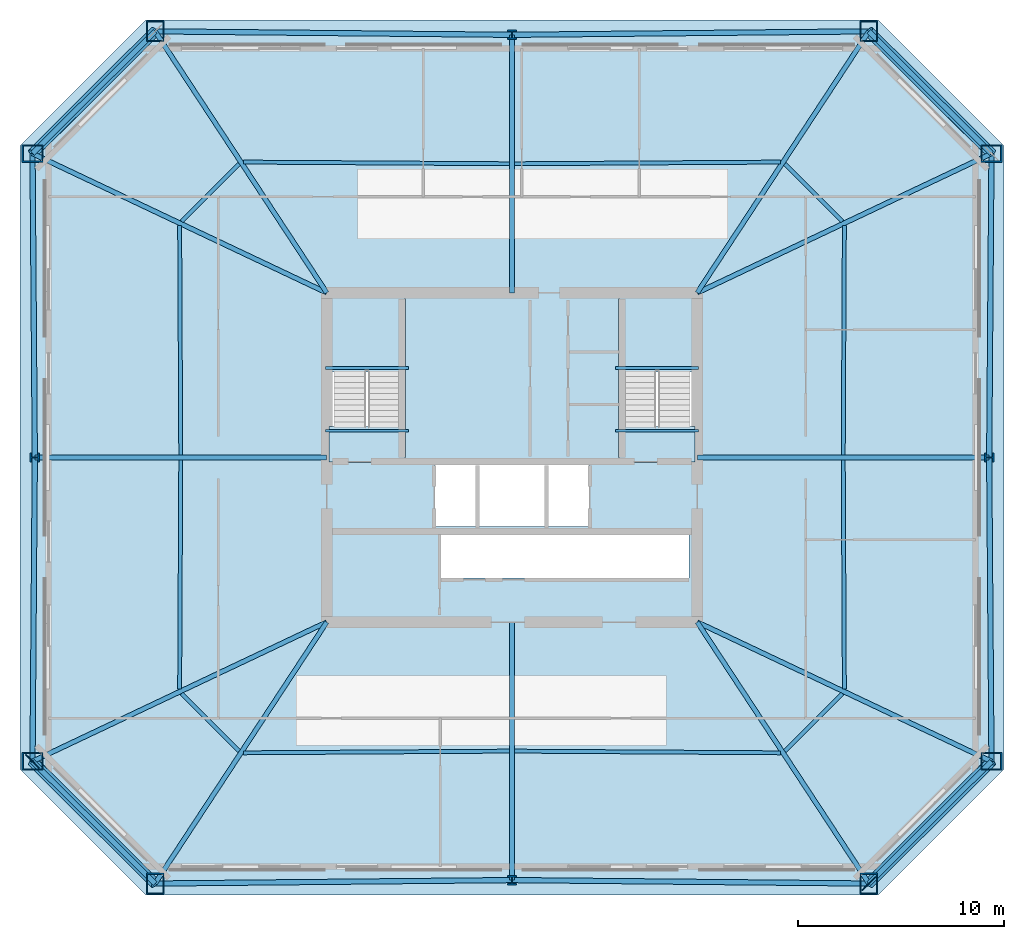
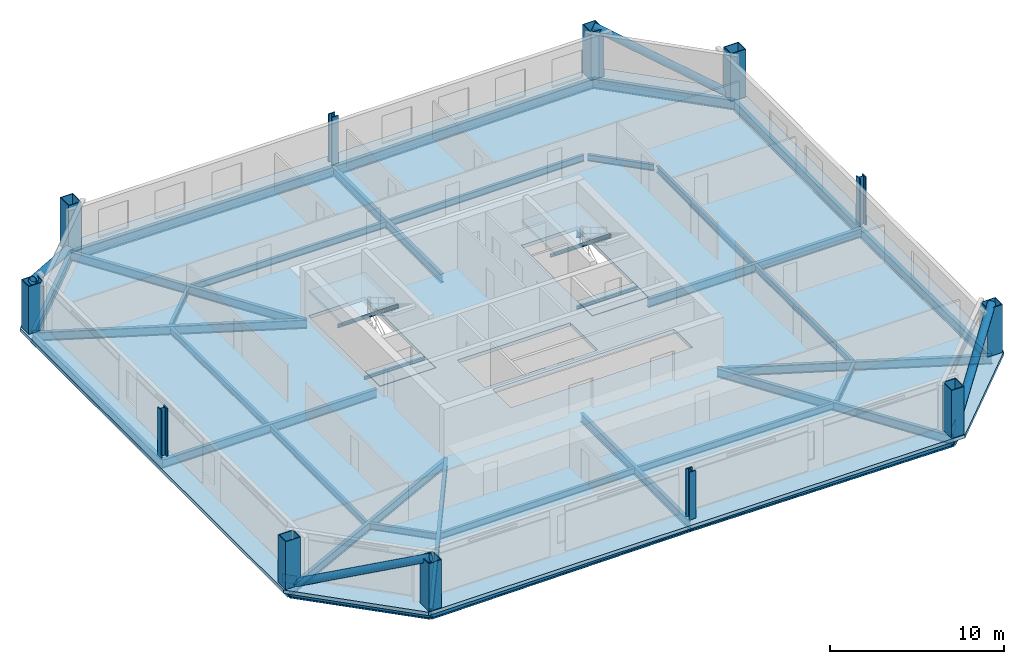
# One storey, part 1 of 6: 40 beams, 12 columns, 5 slabs, 4 members, 2 plates, 2 elements without a shape of their own.
"""IFC4 building model written with IfcOpenShell, lengths in metres."""

from ifc_helpers import new_model, si_unit, direction, frame, origin, origin_2d, place, context, subcontext, project, spatial, polyline, rectangle, hollow_rectangle, hollow_circle, i_section, outline, extrude, material, layer, layer_set, material_profile, profile_set, type_object, element, aggregate, save


model = new_model("IFC4")

# Units and contexts
model_context = context("Model", 3, precision=1e-05, world=origin(), true_north=direction((0.0, 1.0)))
body_context = subcontext(model_context, "Body", "Model", "MODEL_VIEW")
ifc_project = project(units=[si_unit("LENGTHUNIT", "METRE"), si_unit("AREAUNIT", "SQUARE_METRE"), si_unit("VOLUMEUNIT", "CUBIC_METRE"), si_unit("PLANEANGLEUNIT", "RADIAN"), si_unit("MASSUNIT", "GRAM", prefix="KILO")], contexts=[model_context])

# Site, building, storey
site_placement = place(None, origin())
site = spatial("IfcSite", under=ifc_project, at=site_placement, CompositionType="ELEMENT")
building_placement = place(site_placement, origin())
building = spatial("IfcBuilding", under=site, at=building_placement, Name="Caelvoria Tower", CompositionType="ELEMENT")
storey_placement = place(building_placement, frame((0.0, 0.0, 131.199951171875)))
storey = spatial("IfcBuildingStorey", under=building, at=storey_placement, Name="L34", CompositionType="ELEMENT", Elevation=131.199951171875)

# Columns
ifc_material_1 = material(Name="Structural Steel ASTM A572 Gr.50", Category="steel")
ifc_material_profile_1 = material_profile(ifc_material_1, hollow_rectangle(XDim=0.85009765625, YDim=1.0, WallThickness=0.050048828125, at=origin_2d()), Name="Structural Steel ASTM A572 Gr.50")
ifc_profile_set_1 = profile_set([ifc_material_profile_1], Name="BOX1000X850X50 - Structural Steel ASTM A572 Gr.50")
column_type_1 = type_object("IfcColumnType", Name="Mega Box Column 1000x850x50", PredefinedType="COLUMN", material=ifc_profile_set_1)
for number, where, z_axis, x_axis, name in (
    (1, (28.662353515625, 11.302001953125, 0.0), (0.0, 0.0, 1.0), (1.0, 0.0, 0.0), "Perimeter Megaframe Column L34-P00"),
    (2, (63.337646484375, 11.302001953125, 0.0), (0.0, 0.0, 1.0), (1.0, 0.0, 0.0), "Perimeter Megaframe Column L34-P02"),
    (3, (69.2919921875, 17.235595703125, 0.0), (0.0, 0.0, 1.0), (0.0, 1.0, 0.0), "Perimeter Megaframe Column L34-P03"),
    (4, (69.2919921875, 46.764404296875, 0.0), (0.0, 0.0, 1.0), (0.0, 1.0, 0.0), "Perimeter Megaframe Column L34-P05"),
    (5, (63.337646484375, 52.697998046875, 0.0), (0.0, 0.0, 1.0), (1.0, 0.0, 0.0), "Perimeter Megaframe Column L34-P06"),
    (6, (28.662353515625, 52.697998046875, 0.0), (0.0, 0.0, 1.0), (1.0, 0.0, 0.0), "Perimeter Megaframe Column L34-P08"),
    (7, (22.7080078125, 46.764404296875, 0.0), (0.0, 0.0, 1.0), (0.0, 1.0, 0.0), "Perimeter Megaframe Column L34-P09"),
    (8, (22.7080078125, 17.235595703125, 0.0), (0.0, 0.0, 1.0), (0.0, 1.0, 0.0), "Perimeter Megaframe Column L34-P11"),
):
    element("IfcColumn", number, at=place(storey_placement, frame(where, z_axis=z_axis, x_axis=x_axis)), inside=storey, type_object=column_type_1, Name=name, PredefinedType="COLUMN", context=body_context, shape_type="SweptSolid", body=[
        extrude(hollow_rectangle(XDim=0.85009765625, YDim=1.0, WallThickness=0.050048828125, at=origin_2d()), origin(), (0.0, 0.0, 1.0), 3.358154296875),
    ])
ifc_material_2 = material(Name="Structural Steel ASTM A913 Gr.65", Category="steel")
ifc_material_profile_2 = material_profile(ifc_material_2, i_section(OverallWidth=0.41796875, OverallDepth=0.455078125, WebThickness=0.0419921875, FlangeThickness=0.067626953125, FilletRadius=0.02490234375, at=origin_2d()), Name="Structural Steel ASTM A913 Gr.65")
ifc_profile_set_2 = profile_set([ifc_material_profile_2], Name="W360X551 - Structural Steel ASTM A913 Gr.65")
column_type_2 = type_object("IfcColumnType", Name="Mid Frame Column W360X551", PredefinedType="COLUMN", material=ifc_profile_set_2)
for number, where, z_axis, x_axis, name in (
    (9, (46.0, 11.469970703125, 0.0), (0.0, 0.0, 1.0), (1.0, 0.0, 0.0), "Perimeter Megaframe Column L34-P01"),
    (10, (69.179931640625, 32.0, 0.0), (0.0, 0.0, 1.0), (0.0, 1.0, 0.0), "Perimeter Megaframe Column L34-P04"),
    (11, (46.0, 52.530029296875, 0.0), (0.0, 0.0, 1.0), (1.0, 0.0, 0.0), "Perimeter Megaframe Column L34-P07"),
    (12, (22.820068359375, 32.0, 0.0), (0.0, 0.0, 1.0), (0.0, 1.0, 0.0), "Perimeter Megaframe Column L34-P10"),
):
    element("IfcColumn", number, at=place(storey_placement, frame(where, z_axis=z_axis, x_axis=x_axis)), inside=storey, type_object=column_type_2, Name=name, PredefinedType="COLUMN", context=body_context, shape_type="SweptSolid", body=[
        extrude(i_section(OverallWidth=0.41796875, OverallDepth=0.455078125, WebThickness=0.0419921875, FlangeThickness=0.067626953125, FilletRadius=0.02490234375, at=origin_2d()), origin(), (0.0, 0.0, 1.0), 3.358154296875),
    ])

# Beams
ifc_material_3 = material(Name="Structural Steel ASTM A992 Gr.50", Category="steel")
ifc_material_profile_3 = material_profile(ifc_material_3, i_section(OverallWidth=0.134033203125, OverallDepth=0.2099609375, WebThickness=0.00634765625, FlangeThickness=0.01025390625, FilletRadius=0.010009765625, at=origin_2d()), Name="Structural Steel ASTM A992 Gr.50")
ifc_profile_set_3 = profile_set([ifc_material_profile_3], Name="W200X31.3 - Structural Steel ASTM A992 Gr.50")
beam_type_1 = type_object("IfcBeamType", Name="Canopy Edge Trim Beam W200X31.3", PredefinedType="BEAM", material=ifc_profile_set_3)
for number, where, z_axis, x_axis, name in (
    (13, (36.929931640625, 36.35009765625, 1.4951171875), (1.0, 0.0, 0.0), (0.0, 1.0, 0.0), "ST-01 Half-Landing Support Beam L34"),
    (14, (36.929931640625, 33.300048828125, -0.304931640625), (1.0, 0.0, 0.0), (0.0, 1.0, 0.0), "ST-01 Floor-Landing Support Beam L34"),
    (15, (51.030029296875, 36.35009765625, 1.4951171875), (1.0, 0.0, 0.0), (0.0, 1.0, 0.0), "ST-02 Half-Landing Support Beam L34"),
    (16, (51.030029296875, 33.300048828125, -0.304931640625), (1.0, 0.0, 0.0), (0.0, 1.0, 0.0), "ST-02 Floor-Landing Support Beam L34"),
):
    element("IfcBeam", number, at=place(storey_placement, frame(where, z_axis=z_axis, x_axis=x_axis)), inside=storey, type_object=beam_type_1, Name=name, PredefinedType="BEAM", context=body_context, shape_type="SweptSolid", body=[
        extrude(i_section(OverallWidth=0.134033203125, OverallDepth=0.2099609375, WebThickness=0.00634765625, FlangeThickness=0.01025390625, FilletRadius=0.010009765625, at=origin_2d()), origin(), (0.0, 0.0, 1.0), 4.0400390625),
    ])

# Members
ifc_material_profile_4 = material_profile(ifc_material_1, hollow_circle(Radius=0.25390625, WallThickness=0.02001953125, at=origin_2d()), Name="Structural Steel ASTM A572 Gr.50")
ifc_profile_set_4 = profile_set([ifc_material_profile_4], Name="CHS508X20 - Structural Steel ASTM A572 Gr.50")
member_type = type_object("IfcMemberType", Name="Mid Perimeter Mega Brace CHS508X20", PredefinedType="BRACE", material=ifc_profile_set_4)
for number, where, z_axis, x_axis, name in (
    (17, (63.337646484375, 11.302001953125, 0.0), (0.657739661354, 0.655447321724, 0.37117023901), (-0.705871358344, 0.708340049319, 0.0), "Perimeter Chamfer Mega Brace L34 SE"),
    (18, (69.2919921875, 46.764404296875, 0.0), (-0.657739661354, 0.655447321724, 0.37117023901), (-0.705871358344, -0.708340049319, 0.0), "Perimeter Chamfer Mega Brace L34 NE"),
    (19, (28.662353515625, 52.697998046875, 0.0), (-0.657739661354, -0.655447321724, 0.37117023901), (0.705871358344, -0.708340049319, 0.0), "Perimeter Chamfer Mega Brace L34 NW"),
    (20, (22.7080078125, 17.235595703125, 0.0), (0.657739661354, -0.655447321724, 0.37117023901), (0.705871358344, 0.708340049319, 0.0), "Perimeter Chamfer Mega Brace L34 SW"),
):
    element("IfcMember", number, at=place(storey_placement, frame(where, z_axis=z_axis, x_axis=x_axis)), inside=storey, type_object=member_type, Name=name, PredefinedType="BRACE", context=body_context, shape_type="SweptSolid", body=[
        extrude(hollow_circle(Radius=0.25390625, WallThickness=0.02001953125, at=origin_2d()), origin(), (0.0, 0.0, 1.0), 9.052734375),
    ])

# Beams
ifc_material_profile_5 = material_profile(ifc_material_3, i_section(OverallWidth=0.25390625, OverallDepth=0.68798828125, WebThickness=0.01318359375, FlangeThickness=0.02099609375, FilletRadius=0.01904296875, at=origin_2d()), Name="Structural Steel ASTM A992 Gr.50")
ifc_profile_set_5 = profile_set([ifc_material_profile_5], Name="W690X152 - Structural Steel ASTM A992 Gr.50")
beam_type_2 = type_object("IfcBeamType", Name="Perimeter Spandrel Girder W690X152", PredefinedType="BEAM", material=ifc_profile_set_5)
for number, where, z_axis, x_axis, name in (
    (21, (28.662353515625, 11.302001953125, -0.583984375), (0.99995307372, 0.009687639438, 0.0), (-0.009687639438, 0.99995307372, 0.0), "Perimeter Spandrel Girder L34-00"),
    (22, (46.0, 11.469970703125, -0.583984375), (0.99995307372, -0.009687639438, 0.0), (0.009687639438, 0.99995307372, 0.0), "Perimeter Spandrel Girder L34-01"),
):
    element("IfcBeam", number, at=place(storey_placement, frame(where, z_axis=z_axis, x_axis=x_axis)), inside=storey, type_object=beam_type_2, Name=name, PredefinedType="BEAM", context=body_context, shape_type="SweptSolid", body=[
        extrude(i_section(OverallWidth=0.25390625, OverallDepth=0.68798828125, WebThickness=0.01318359375, FlangeThickness=0.02099609375, FilletRadius=0.01904296875, at=origin_2d()), origin(), (0.0, 0.0, 1.0), 17.33837890625),
    ])
beam_1_placement = place(storey_placement, frame((63.337646484375, 11.302001953125, -0.583984375), z_axis=(0.708340049319, 0.705871358344, 0.0), x_axis=(-0.705871358344, 0.708340049319, 0.0)))
element("IfcBeam", 23, at=beam_1_placement, inside=storey, type_object=beam_type_2, Name="Perimeter Spandrel Girder L34-02", PredefinedType="BEAM", context=body_context, shape_type="SweptSolid", body=[
    extrude(i_section(OverallWidth=0.25390625, OverallDepth=0.68798828125, WebThickness=0.01318359375, FlangeThickness=0.02099609375, FilletRadius=0.01904296875, at=origin_2d()), origin(), (0.0, 0.0, 1.0), 8.406005859375),
])
for number, where, z_axis, x_axis, name in (
    (24, (69.2919921875, 17.235595703125, -0.583984375), (-0.007589694581, 0.999971197853, 0.0), (-0.999971197853, -0.007589694581, 0.0), "Perimeter Spandrel Girder L34-03"),
    (25, (69.179931640625, 32.0, -0.583984375), (0.007589694581, 0.999971197853, 0.0), (-0.999971197853, 0.007589694581, 0.0), "Perimeter Spandrel Girder L34-04"),
):
    element("IfcBeam", number, at=place(storey_placement, frame(where, z_axis=z_axis, x_axis=x_axis)), inside=storey, type_object=beam_type_2, Name=name, PredefinedType="BEAM", context=body_context, shape_type="SweptSolid", body=[
        extrude(i_section(OverallWidth=0.25390625, OverallDepth=0.68798828125, WebThickness=0.01318359375, FlangeThickness=0.02099609375, FilletRadius=0.01904296875, at=origin_2d()), origin(), (0.0, 0.0, 1.0), 14.764892578125),
    ])
beam_2_placement = place(storey_placement, frame((69.2919921875, 46.764404296875, -0.583984375), z_axis=(-0.708340049319, 0.705871358344, 0.0), x_axis=(-0.705871358344, -0.708340049319, 0.0)))
element("IfcBeam", 26, at=beam_2_placement, inside=storey, type_object=beam_type_2, Name="Perimeter Spandrel Girder L34-05", PredefinedType="BEAM", context=body_context, shape_type="SweptSolid", body=[
    extrude(i_section(OverallWidth=0.25390625, OverallDepth=0.68798828125, WebThickness=0.01318359375, FlangeThickness=0.02099609375, FilletRadius=0.01904296875, at=origin_2d()), origin(), (0.0, 0.0, 1.0), 8.406005859375),
])
for number, where, z_axis, x_axis, name in (
    (27, (63.337646484375, 52.697998046875, -0.583984375), (-0.99995307372, -0.009687639438, 0.0), (0.009687639438, -0.99995307372, 0.0), "Perimeter Spandrel Girder L34-06"),
    (28, (46.0, 52.530029296875, -0.583984375), (-0.99995307372, 0.009687639438, 0.0), (-0.009687639438, -0.99995307372, 0.0), "Perimeter Spandrel Girder L34-07"),
):
    element("IfcBeam", number, at=place(storey_placement, frame(where, z_axis=z_axis, x_axis=x_axis)), inside=storey, type_object=beam_type_2, Name=name, PredefinedType="BEAM", context=body_context, shape_type="SweptSolid", body=[
        extrude(i_section(OverallWidth=0.25390625, OverallDepth=0.68798828125, WebThickness=0.01318359375, FlangeThickness=0.02099609375, FilletRadius=0.01904296875, at=origin_2d()), origin(), (0.0, 0.0, 1.0), 17.33837890625),
    ])
beam_3_placement = place(storey_placement, frame((28.662353515625, 52.697998046875, -0.583984375), z_axis=(-0.708340049319, -0.705871358344, 0.0), x_axis=(0.705871358344, -0.708340049319, 0.0)))
element("IfcBeam", 29, at=beam_3_placement, inside=storey, type_object=beam_type_2, Name="Perimeter Spandrel Girder L34-08", PredefinedType="BEAM", context=body_context, shape_type="SweptSolid", body=[
    extrude(i_section(OverallWidth=0.25390625, OverallDepth=0.68798828125, WebThickness=0.01318359375, FlangeThickness=0.02099609375, FilletRadius=0.01904296875, at=origin_2d()), origin(), (0.0, 0.0, 1.0), 8.406005859375),
])
for number, where, z_axis, x_axis, name in (
    (30, (22.7080078125, 46.764404296875, -0.583984375), (0.007589694581, -0.999971197853, 0.0), (0.999971197853, 0.007589694581, 0.0), "Perimeter Spandrel Girder L34-09"),
    (31, (22.820068359375, 32.0, -0.583984375), (-0.007589694581, -0.999971197853, 0.0), (0.999971197853, -0.007589694581, 0.0), "Perimeter Spandrel Girder L34-10"),
):
    element("IfcBeam", number, at=place(storey_placement, frame(where, z_axis=z_axis, x_axis=x_axis)), inside=storey, type_object=beam_type_2, Name=name, PredefinedType="BEAM", context=body_context, shape_type="SweptSolid", body=[
        extrude(i_section(OverallWidth=0.25390625, OverallDepth=0.68798828125, WebThickness=0.01318359375, FlangeThickness=0.02099609375, FilletRadius=0.01904296875, at=origin_2d()), origin(), (0.0, 0.0, 1.0), 14.764892578125),
    ])
beam_4_placement = place(storey_placement, frame((22.7080078125, 17.235595703125, -0.583984375), z_axis=(0.708340049319, -0.705871358344, 0.0), x_axis=(0.705871358344, 0.708340049319, 0.0)))
element("IfcBeam", 32, at=beam_4_placement, inside=storey, type_object=beam_type_2, Name="Perimeter Spandrel Girder L34-11", PredefinedType="BEAM", context=body_context, shape_type="SweptSolid", body=[
    extrude(i_section(OverallWidth=0.25390625, OverallDepth=0.68798828125, WebThickness=0.01318359375, FlangeThickness=0.02099609375, FilletRadius=0.01904296875, at=origin_2d()), origin(), (0.0, 0.0, 1.0), 8.406005859375),
])
ifc_material_profile_6 = material_profile(ifc_material_3, i_section(OverallWidth=0.22900390625, OverallDepth=0.612060546875, WebThickness=0.011962890625, FlangeThickness=0.01953125, FilletRadius=0.01806640625, at=origin_2d()), Name="Structural Steel ASTM A992 Gr.50")
ifc_profile_set_6 = profile_set([ifc_material_profile_6], Name="W610X125 - Structural Steel ASTM A992 Gr.50")
beam_type_3 = type_object("IfcBeamType", Name="Primary Radial Floor Girder W610X125", PredefinedType="BEAM", material=ifc_profile_set_6)
beam_5_placement = place(storey_placement, frame((37.0, 24.0, -0.5458984375), z_axis=(-0.548867408658, -0.835909425544, 0.0), x_axis=(0.835909425544, -0.548867408658, 0.0)))
element("IfcBeam", 33, at=beam_5_placement, inside=storey, type_object=beam_type_3, Name="Primary Floor Girder L34-00", PredefinedType="BEAM", context=body_context, shape_type="SweptSolid", body=[
    extrude(i_section(OverallWidth=0.22900390625, OverallDepth=0.612060546875, WebThickness=0.011962890625, FlangeThickness=0.01953125, FilletRadius=0.01806640625, at=origin_2d()), origin(), (0.0, 0.0, 1.0), 15.190673828125),
])
beam_6_placement = place(storey_placement, frame((46.0, 24.0, -0.5458984375), z_axis=(0.0, -1.0, 0.0), x_axis=(1.0, 0.0, 0.0)))
element("IfcBeam", 34, at=beam_6_placement, inside=storey, type_object=beam_type_3, Name="Primary Floor Girder L34-01", PredefinedType="BEAM", context=body_context, shape_type="SweptSolid", body=[
    extrude(i_section(OverallWidth=0.22900390625, OverallDepth=0.612060546875, WebThickness=0.011962890625, FlangeThickness=0.01953125, FilletRadius=0.01806640625, at=origin_2d()), origin(), (0.0, 0.0, 1.0), 12.530029296875),
])
beam_7_placement = place(storey_placement, frame((55.0, 24.0, -0.5458984375), z_axis=(0.548867408658, -0.835909425544, 0.0), x_axis=(0.835909425544, 0.548867408658, 0.0)))
element("IfcBeam", 35, at=beam_7_placement, inside=storey, type_object=beam_type_3, Name="Primary Floor Girder L34-02", PredefinedType="BEAM", context=body_context, shape_type="SweptSolid", body=[
    extrude(i_section(OverallWidth=0.22900390625, OverallDepth=0.612060546875, WebThickness=0.011962890625, FlangeThickness=0.01953125, FilletRadius=0.01806640625, at=origin_2d()), origin(), (0.0, 0.0, 1.0), 15.190673828125),
])
beam_8_placement = place(storey_placement, frame((55.0, 24.0, -0.5458984375), z_axis=(0.903872040763, -0.427802914818, 0.0), x_axis=(0.427802914818, 0.903872040763, 0.0)))
element("IfcBeam", 36, at=beam_8_placement, inside=storey, type_object=beam_type_3, Name="Primary Floor Girder L34-03", PredefinedType="BEAM", context=body_context, shape_type="SweptSolid", body=[
    extrude(i_section(OverallWidth=0.22900390625, OverallDepth=0.612060546875, WebThickness=0.011962890625, FlangeThickness=0.01953125, FilletRadius=0.01806640625, at=origin_2d()), origin(), (0.0, 0.0, 1.0), 15.81201171875),
])
beam_9_placement = place(storey_placement, frame((55.0, 32.0, -0.5458984375), z_axis=(1.0, 0.0, 0.0), x_axis=(0.0, 1.0, 0.0)))
element("IfcBeam", 37, at=beam_9_placement, inside=storey, type_object=beam_type_3, Name="Primary Floor Girder L34-04", PredefinedType="BEAM", context=body_context, shape_type="SweptSolid", body=[
    extrude(i_section(OverallWidth=0.22900390625, OverallDepth=0.612060546875, WebThickness=0.011962890625, FlangeThickness=0.01953125, FilletRadius=0.01806640625, at=origin_2d()), origin(), (0.0, 0.0, 1.0), 14.179931640625),
])
beam_10_placement = place(storey_placement, frame((55.0, 40.0, -0.5458984375), z_axis=(0.903872040763, 0.427802914818, 0.0), x_axis=(-0.427802914818, 0.903872040763, 0.0)))
element("IfcBeam", 38, at=beam_10_placement, inside=storey, type_object=beam_type_3, Name="Primary Floor Girder L34-05", PredefinedType="BEAM", context=body_context, shape_type="SweptSolid", body=[
    extrude(i_section(OverallWidth=0.22900390625, OverallDepth=0.612060546875, WebThickness=0.011962890625, FlangeThickness=0.01953125, FilletRadius=0.01806640625, at=origin_2d()), origin(), (0.0, 0.0, 1.0), 15.81201171875),
])
beam_11_placement = place(storey_placement, frame((55.0, 40.0, -0.5458984375), z_axis=(0.548867408658, 0.835909425544, 0.0), x_axis=(-0.835909425544, 0.548867408658, 0.0)))
element("IfcBeam", 39, at=beam_11_placement, inside=storey, type_object=beam_type_3, Name="Primary Floor Girder L34-06", PredefinedType="BEAM", context=body_context, shape_type="SweptSolid", body=[
    extrude(i_section(OverallWidth=0.22900390625, OverallDepth=0.612060546875, WebThickness=0.011962890625, FlangeThickness=0.01953125, FilletRadius=0.01806640625, at=origin_2d()), origin(), (0.0, 0.0, 1.0), 15.190673828125),
])
beam_12_placement = place(storey_placement, frame((46.0, 40.0, -0.5458984375), z_axis=(0.0, 1.0, 0.0), x_axis=(-1.0, 0.0, 0.0)))
element("IfcBeam", 40, at=beam_12_placement, inside=storey, type_object=beam_type_3, Name="Primary Floor Girder L34-07", PredefinedType="BEAM", context=body_context, shape_type="SweptSolid", body=[
    extrude(i_section(OverallWidth=0.22900390625, OverallDepth=0.612060546875, WebThickness=0.011962890625, FlangeThickness=0.01953125, FilletRadius=0.01806640625, at=origin_2d()), origin(), (0.0, 0.0, 1.0), 12.530029296875),
])
beam_13_placement = place(storey_placement, frame((37.0, 40.0, -0.5458984375), z_axis=(-0.548867408658, 0.835909425544, 0.0), x_axis=(-0.835909425544, -0.548867408658, 0.0)))
element("IfcBeam", 41, at=beam_13_placement, inside=storey, type_object=beam_type_3, Name="Primary Floor Girder L34-08", PredefinedType="BEAM", context=body_context, shape_type="SweptSolid", body=[
    extrude(i_section(OverallWidth=0.22900390625, OverallDepth=0.612060546875, WebThickness=0.011962890625, FlangeThickness=0.01953125, FilletRadius=0.01806640625, at=origin_2d()), origin(), (0.0, 0.0, 1.0), 15.190673828125),
])
beam_14_placement = place(storey_placement, frame((37.0, 40.0, -0.5458984375), z_axis=(-0.903872040763, 0.427802914818, 0.0), x_axis=(-0.427802914818, -0.903872040763, 0.0)))
element("IfcBeam", 42, at=beam_14_placement, inside=storey, type_object=beam_type_3, Name="Primary Floor Girder L34-09", PredefinedType="BEAM", context=body_context, shape_type="SweptSolid", body=[
    extrude(i_section(OverallWidth=0.22900390625, OverallDepth=0.612060546875, WebThickness=0.011962890625, FlangeThickness=0.01953125, FilletRadius=0.01806640625, at=origin_2d()), origin(), (0.0, 0.0, 1.0), 15.81201171875),
])
beam_15_placement = place(storey_placement, frame((37.0, 32.0, -0.5458984375), z_axis=(-1.0, 0.0, 0.0), x_axis=(0.0, -1.0, 0.0)))
element("IfcBeam", 43, at=beam_15_placement, inside=storey, type_object=beam_type_3, Name="Primary Floor Girder L34-10", PredefinedType="BEAM", context=body_context, shape_type="SweptSolid", body=[
    extrude(i_section(OverallWidth=0.22900390625, OverallDepth=0.612060546875, WebThickness=0.011962890625, FlangeThickness=0.01953125, FilletRadius=0.01806640625, at=origin_2d()), origin(), (0.0, 0.0, 1.0), 14.179931640625),
])
beam_16_placement = place(storey_placement, frame((37.0, 24.0, -0.5458984375), z_axis=(-0.903872040763, -0.427802914818, 0.0), x_axis=(0.427802914818, -0.903872040763, 0.0)))
element("IfcBeam", 44, at=beam_16_placement, inside=storey, type_object=beam_type_3, Name="Primary Floor Girder L34-11", PredefinedType="BEAM", context=body_context, shape_type="SweptSolid", body=[
    extrude(i_section(OverallWidth=0.22900390625, OverallDepth=0.612060546875, WebThickness=0.011962890625, FlangeThickness=0.01953125, FilletRadius=0.01806640625, at=origin_2d()), origin(), (0.0, 0.0, 1.0), 15.81201171875),
])
ifc_material_profile_7 = material_profile(ifc_material_3, i_section(OverallWidth=0.18994140625, OverallDepth=0.45703125, WebThickness=0.009033203125, FlangeThickness=0.014404296875, FilletRadius=0.014892578125, at=origin_2d()), Name="Structural Steel ASTM A992 Gr.50")
ifc_profile_set_7 = profile_set([ifc_material_profile_7], Name="W460X74 - Structural Steel ASTM A992 Gr.50")
beam_type_4 = type_object("IfcBeamType", Name="Secondary Floor Beam W460X74", PredefinedType="BEAM", material=ifc_profile_set_7)
for number, where, z_axis, x_axis, name in (
    (45, (32.956298828125, 17.65185546875, -0.468505859375), (0.999979720418, 0.006368575371, 0.0), (-0.006368575371, 0.999979720418, 0.0), "Secondary Floor Beam L34-00"),
    (46, (46.125, 17.734130859375, -0.468505859375), (0.999979720418, -0.006368575371, 0.0), (0.006368575371, 0.999979720418, 0.0), "Secondary Floor Beam L34-01"),
):
    element("IfcBeam", number, at=place(storey_placement, frame(where, z_axis=z_axis, x_axis=x_axis)), inside=storey, type_object=beam_type_4, Name=name, PredefinedType="BEAM", context=body_context, shape_type="SweptSolid", body=[
        extrude(i_section(OverallWidth=0.18994140625, OverallDepth=0.45703125, WebThickness=0.009033203125, FlangeThickness=0.014404296875, FilletRadius=0.014892578125, at=origin_2d()), origin(), (0.0, 0.0, 1.0), 12.9189453125),
    ])
beam_17_placement = place(storey_placement, frame((59.25732421875, 17.7392578125, -0.468505859375), z_axis=(0.708340929303, 0.705870475282, 0.0), x_axis=(-0.705870475282, 0.708340929303, 0.0)))
element("IfcBeam", 47, at=beam_17_placement, inside=storey, type_object=beam_type_4, Name="Secondary Floor Beam L34-02", PredefinedType="BEAM", context=body_context, shape_type="SweptSolid", body=[
    extrude(i_section(OverallWidth=0.18994140625, OverallDepth=0.45703125, WebThickness=0.009033203125, FlangeThickness=0.014404296875, FilletRadius=0.014892578125, at=origin_2d()), origin(), (0.0, 0.0, 1.0), 3.952880859375),
])
for number, where, z_axis, x_axis, name in (
    (48, (62.145263671875, 20.742919921875, -0.468505859375), (-0.004912544621, 0.99998793338, 0.0), (-0.99998793338, -0.004912544621, 0.0), "Secondary Floor Beam L34-03"),
    (49, (62.090576171875, 32.125, -0.468505859375), (0.004912544621, 0.99998793338, 0.0), (-0.99998793338, 0.004912544621, 0.0), "Secondary Floor Beam L34-04"),
):
    element("IfcBeam", number, at=place(storey_placement, frame(where, z_axis=z_axis, x_axis=x_axis)), inside=storey, type_object=beam_type_4, Name=name, PredefinedType="BEAM", context=body_context, shape_type="SweptSolid", body=[
        extrude(i_section(OverallWidth=0.18994140625, OverallDepth=0.45703125, WebThickness=0.009033203125, FlangeThickness=0.014404296875, FilletRadius=0.014892578125, at=origin_2d()), origin(), (0.0, 0.0, 1.0), 11.13232421875),
    ])
beam_18_placement = place(storey_placement, frame((62.057373046875, 43.470458984375, -0.468505859375), z_axis=(-0.708340929303, 0.705870475282, 0.0), x_axis=(-0.705870475282, -0.708340929303, 0.0)))
element("IfcBeam", 50, at=beam_18_placement, inside=storey, type_object=beam_type_4, Name="Secondary Floor Beam L34-05", PredefinedType="BEAM", context=body_context, shape_type="SweptSolid", body=[
    extrude(i_section(OverallWidth=0.18994140625, OverallDepth=0.45703125, WebThickness=0.009033203125, FlangeThickness=0.014404296875, FilletRadius=0.014892578125, at=origin_2d()), origin(), (0.0, 0.0, 1.0), 3.952880859375),
])
for number, where, z_axis, x_axis, name in (
    (51, (59.043701171875, 46.34814453125, -0.468505859375), (-0.999979720418, -0.006368575371, 0.0), (0.006368575371, -0.999979720418, 0.0), "Secondary Floor Beam L34-06"),
    (52, (45.875, 46.265869140625, -0.468505859375), (-0.999979720418, 0.006368575371, 0.0), (-0.006368575371, -0.999979720418, 0.0), "Secondary Floor Beam L34-07"),
):
    element("IfcBeam", number, at=place(storey_placement, frame(where, z_axis=z_axis, x_axis=x_axis)), inside=storey, type_object=beam_type_4, Name=name, PredefinedType="BEAM", context=body_context, shape_type="SweptSolid", body=[
        extrude(i_section(OverallWidth=0.18994140625, OverallDepth=0.45703125, WebThickness=0.009033203125, FlangeThickness=0.014404296875, FilletRadius=0.014892578125, at=origin_2d()), origin(), (0.0, 0.0, 1.0), 12.9189453125),
    ])
beam_19_placement = place(storey_placement, frame((32.74267578125, 46.2607421875, -0.468505859375), z_axis=(-0.708340929303, -0.705870475282, 0.0), x_axis=(0.705870475282, -0.708340929303, 0.0)))
element("IfcBeam", 53, at=beam_19_placement, inside=storey, type_object=beam_type_4, Name="Secondary Floor Beam L34-08", PredefinedType="BEAM", context=body_context, shape_type="SweptSolid", body=[
    extrude(i_section(OverallWidth=0.18994140625, OverallDepth=0.45703125, WebThickness=0.009033203125, FlangeThickness=0.014404296875, FilletRadius=0.014892578125, at=origin_2d()), origin(), (0.0, 0.0, 1.0), 3.952880859375),
])
for number, where, z_axis, x_axis, name in (
    (54, (29.854736328125, 43.257080078125, -0.468505859375), (0.004912544621, -0.99998793338, 0.0), (0.99998793338, 0.004912544621, 0.0), "Secondary Floor Beam L34-09"),
    (55, (29.909423828125, 31.875, -0.468505859375), (-0.004912544621, -0.99998793338, 0.0), (0.99998793338, -0.004912544621, 0.0), "Secondary Floor Beam L34-10"),
):
    element("IfcBeam", number, at=place(storey_placement, frame(where, z_axis=z_axis, x_axis=x_axis)), inside=storey, type_object=beam_type_4, Name=name, PredefinedType="BEAM", context=body_context, shape_type="SweptSolid", body=[
        extrude(i_section(OverallWidth=0.18994140625, OverallDepth=0.45703125, WebThickness=0.009033203125, FlangeThickness=0.014404296875, FilletRadius=0.014892578125, at=origin_2d()), origin(), (0.0, 0.0, 1.0), 11.13232421875),
    ])
beam_20_placement = place(storey_placement, frame((29.942626953125, 20.529541015625, -0.468505859375), z_axis=(0.708340929303, -0.705870475282, 0.0), x_axis=(0.705870475282, 0.708340929303, 0.0)))
element("IfcBeam", 56, at=beam_20_placement, inside=storey, type_object=beam_type_4, Name="Secondary Floor Beam L34-11", PredefinedType="BEAM", context=body_context, shape_type="SweptSolid", body=[
    extrude(i_section(OverallWidth=0.18994140625, OverallDepth=0.45703125, WebThickness=0.009033203125, FlangeThickness=0.014404296875, FilletRadius=0.014892578125, at=origin_2d()), origin(), (0.0, 0.0, 1.0), 3.952880859375),
])

# Plates
ifc_layer_1 = layer(ifc_material_1, 0.0400390625, Name="Structural Steel ASTM A572 Gr.50")
ifc_layer_set_1 = layer_set([ifc_layer_1], Name="Megaframe Node Gusset Plate 900x600x40 - Structural Steel ASTM A572 Gr.50")
plate_type = type_object("IfcPlateType", Name="Megaframe Node Gusset Plate 900x600x40", PredefinedType="USERDEFINED", material=ifc_layer_set_1)
for number, where, z_axis, x_axis, name in (
    (57, (63.337646484375, 11.302001953125, 0.02001953125), (0.0, 0.0, 1.0), (0.708331213824, 0.70588022463, 0.0), "Chamfer Mega Brace Gusset L34 SE"),
    (58, (22.7080078125, 17.235595703125, 0.02001953125), (0.0, 0.0, 1.0), (0.708331213824, -0.70588022463, 0.0), "Chamfer Mega Brace Gusset L34 SW"),
):
    element("IfcPlate", number, at=place(storey_placement, frame(where, z_axis=z_axis, x_axis=x_axis)), inside=storey, type_object=plate_type, Name=name, ObjectType="GUSSET_PLATE", PredefinedType="USERDEFINED", context=body_context, shape_type="SweptSolid", body=[
        extrude(rectangle(XDim=0.89990234375, YDim=0.0400390625, at=origin_2d()), origin(), (0.0, 0.0, 1.0), 0.60009765625),
    ])

# Stair, slabs
ifc_material_4 = material(Name="Concrete C40/50", Category="concrete")
stair_type = type_object("IfcStairType", Name="Core Smokeproof Dogleg Stair Concrete C40/50", PredefinedType="HALF_TURN_STAIR", material=ifc_material_4)
stair_1_placement = place(storey_placement, origin())
stair_1 = element("IfcStair", 59, at=stair_1_placement, inside=storey, type_object=stair_type, Name="ST-01 Smokeproof Exit Stair L34", PredefinedType="HALF_TURN_STAIR")
ifc_layer_2 = layer(ifc_material_4, 0.199951171875, Name="Concrete C40/50")
ifc_layer_set_2 = layer_set([ifc_layer_2], Name="Stair Half and Floor Landing Slab 200 Concrete C40/50 - Concrete C40/50")
slab_type_1 = type_object("IfcSlabType", Name="Stair Half and Floor Landing Slab 200 Concrete C40/50", PredefinedType="LANDING", material=ifc_layer_set_2)
slab_1_placement = place(storey_placement, frame((0.0, 0.0, -0.199951171875)))
slab_1 = element("IfcSlab", 60, at=slab_1_placement, type_object=slab_type_1, Name="ST-01 landing 1", PredefinedType="LANDING", context=body_context, shape_type="SweptSolid", body=[
    extrude(outline(polyline([(37.10009765625, 31.77001953125), (40.800048828125, 31.77001953125), (40.800048828125, 33.5), (37.10009765625, 33.5), (37.10009765625, 31.77001953125)])), origin(), (0.0, 0.0, 1.0), 0.199951171875),
])
slab_2_placement = place(storey_placement, frame((0.0, 0.0, 1.60009765625)))
slab_2 = element("IfcSlab", 61, at=slab_2_placement, type_object=slab_type_1, Name="ST-01 landing 2", PredefinedType="LANDING", context=body_context, shape_type="SweptSolid", body=[
    extrude(outline(polyline([(37.10009765625, 36.14990234375), (40.800048828125, 36.14990234375), (40.800048828125, 39.89990234375), (37.10009765625, 39.89990234375), (37.10009765625, 36.14990234375)])), origin(), (0.0, 0.0, 1.0), 0.199951171875),
])
aggregate(stair_1, [slab_1, slab_2])

stair_2_placement = place(storey_placement, origin())
stair_2 = element("IfcStair", 62, at=stair_2_placement, inside=storey, type_object=stair_type, Name="ST-02 Smokeproof Exit Stair L34", PredefinedType="HALF_TURN_STAIR")
slab_3_placement = place(storey_placement, frame((0.0, 0.0, -0.199951171875)))
slab_3 = element("IfcSlab", 63, at=slab_3_placement, type_object=slab_type_1, Name="ST-02 landing 1", PredefinedType="LANDING", context=body_context, shape_type="SweptSolid", body=[
    extrude(outline(polyline([(51.199951171875, 31.77001953125), (54.89990234375, 31.77001953125), (54.89990234375, 33.5), (51.199951171875, 33.5), (51.199951171875, 31.77001953125)])), origin(), (0.0, 0.0, 1.0), 0.199951171875),
])
slab_4_placement = place(storey_placement, frame((0.0, 0.0, 1.60009765625)))
slab_4 = element("IfcSlab", 64, at=slab_4_placement, type_object=slab_type_1, Name="ST-02 landing 2", PredefinedType="LANDING", context=body_context, shape_type="SweptSolid", body=[
    extrude(outline(polyline([(51.199951171875, 36.14990234375), (54.89990234375, 36.14990234375), (54.89990234375, 39.89990234375), (51.199951171875, 39.89990234375), (51.199951171875, 36.14990234375)])), origin(), (0.0, 0.0, 1.0), 0.199951171875),
])
aggregate(stair_2, [slab_3, slab_4])

# Slab
ifc_layer_3 = layer(ifc_material_4, 0.239990234375, Name="Concrete C40/50")
ifc_layer_set_3 = layer_set([ifc_layer_3], Name="Tower Composite Office Slab 240 - Concrete C40/50")
slab_type_2 = type_object("IfcSlabType", Name="Tower Composite Office Slab 240", PredefinedType="FLOOR", material=ifc_layer_set_3)
slab_5_placement = place(storey_placement, frame((0.0, 0.0, -0.239990234375)))
element("IfcSlab", 65, at=slab_5_placement, inside=storey, type_object=slab_type_2, Name="Level L34 Structural Floor Slab", PredefinedType="FLOOR", context=body_context, shape_type="SweptSolid", body=[
    extrude(outline(polyline([(28.199951171875, 10.75), (63.800048828125, 10.75), (69.89990234375, 16.85009765625), (69.89990234375, 47.14990234375), (63.800048828125, 53.25), (28.199951171875, 53.25), (22.10009765625, 47.14990234375), (22.10009765625, 16.85009765625), (28.199951171875, 10.75)]), holes=[polyline([(37.080078125, 31.75), (40.820068359375, 31.75), (40.820068359375, 39.919921875), (37.080078125, 39.919921875), (37.080078125, 31.75)]), polyline([(51.179931640625, 31.75), (54.919921875, 31.75), (54.919921875, 39.919921875), (51.179931640625, 39.919921875), (51.179931640625, 31.75)]), polyline([(42.25, 28.64990234375), (49.75, 28.64990234375), (49.75, 31.800048828125), (42.25, 31.800048828125), (42.25, 28.64990234375)]), polyline([(42.550048828125, 26.14990234375), (54.60009765625, 26.14990234375), (54.60009765625, 28.25), (42.550048828125, 28.25), (42.550048828125, 26.14990234375)])]), origin(), (0.0, 0.0, 1.0), 0.239990234375),
])

save(model, "model.ifc")
